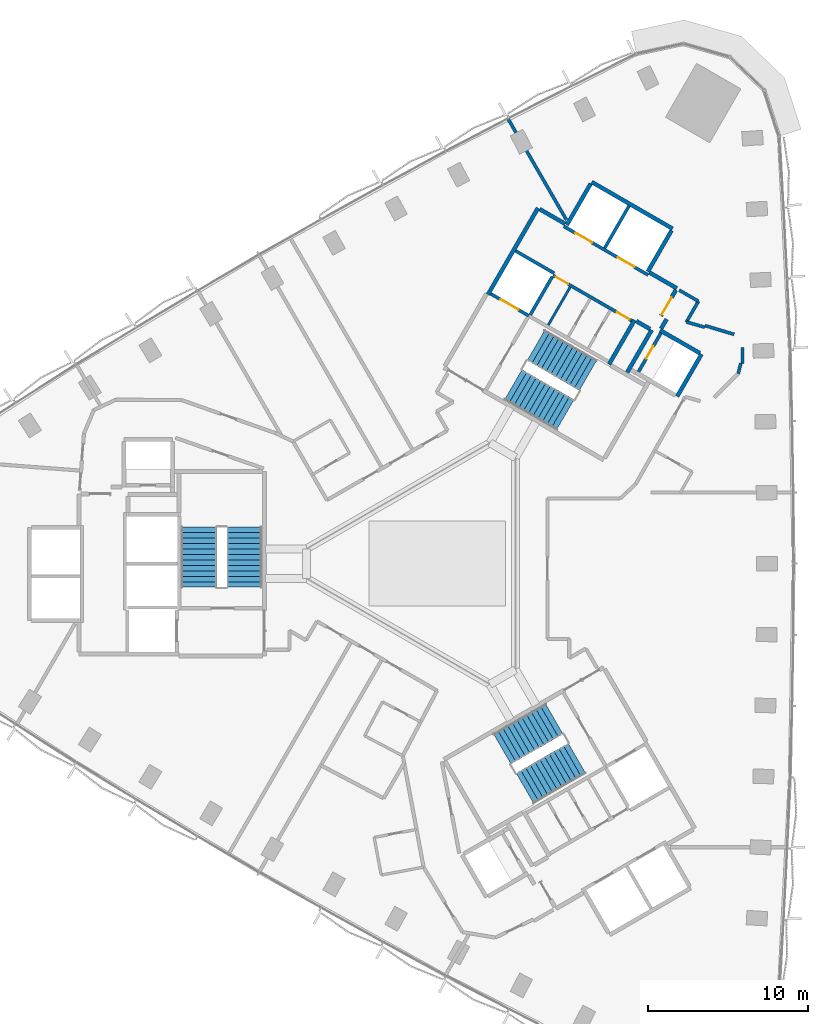
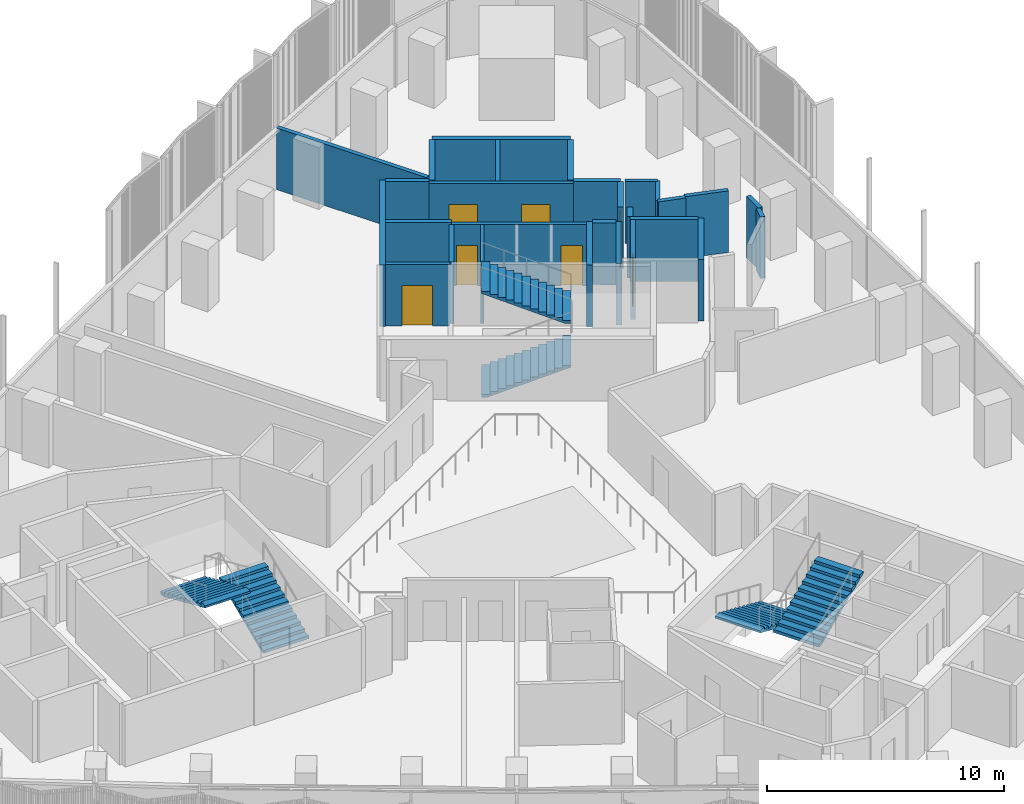
# One storey, part 11 of 15: 28 walls, 7 doors, 6 stair flights, 7 openings, 3 elements without a shape of their own.
"""IFC4 building model written with IfcOpenShell, lengths in metres."""

from ifc_helpers import new_model, si_unit, direction, frame, frame_2d, origin, place, context, subcontext, project, spatial, polyline, rectangle, outline, extrude, material, layer, layer_set, type_object, element, fill, aggregate, save


model = new_model("IFC4")

# Units and contexts
model_context = context("Model", 3, precision=1e-05, world=origin(), true_north=direction((0.0, 1.0)))
body_context = subcontext(model_context, "Body", "Model", "MODEL_VIEW")
ifc_project = project(units=[si_unit("LENGTHUNIT", "METRE"), si_unit("AREAUNIT", "SQUARE_METRE"), si_unit("VOLUMEUNIT", "CUBIC_METRE"), si_unit("PLANEANGLEUNIT", "RADIAN"), si_unit("MASSUNIT", "GRAM", prefix="KILO")], contexts=[model_context])

# Site, building, storey
site_placement = place(None, origin())
site = spatial("IfcSite", under=ifc_project, at=site_placement, CompositionType="ELEMENT")
building_placement = place(site_placement, origin())
building = spatial("IfcBuilding", under=site, at=building_placement, Name="Tamra Quay Hotel Tower", CompositionType="ELEMENT")
storey_placement = place(building_placement, frame((0.0, 0.0, 79.39990234375)))
storey = spatial("IfcBuildingStorey", under=building, at=storey_placement, Name="L18", CompositionType="ELEMENT", Elevation=79.39990234375)

# Wall, openings, doors
ifc_material_1 = material(Name="Concrete M70", Category="concrete")
ifc_layer_1 = layer(ifc_material_1, 0.199951171875)
ifc_layer_set_1 = layer_set([ifc_layer_1], Name="Concrete M70 core wall 200")
wall_type_1 = type_object("IfcWallType", Name="Concrete M70 core wall 200", PredefinedType="SHEAR", material=ifc_layer_set_1)
wall_1_placement = place(storey_placement, frame((13.209716796875, 18.07958984375, 0.0), z_axis=(0.0, 0.0, 1.0), x_axis=(-0.866030299012, 0.499991521122, 0.0)))
wall_1 = element("IfcWall", 1, at=wall_1_placement, inside=storey, type_object=wall_type_1, Name="CW2", PredefinedType="SHEAR", context=body_context, shape_type="SweptSolid", body=[
    extrude(rectangle(XDim=6.10009765625, YDim=0.199951171875, at=frame_2d((3.050048828125, 0.0))), origin(), (0.0, 0.0, 1.0), 3.175048828125),
])
opening_1_placement = place(wall_1_placement, frame((1.0, 0.0, 0.0)))
opening_1 = element("IfcOpeningElement", 2, at=opening_1_placement, cuts=wall_1, Name="Opening LD", PredefinedType="OPENING", context=body_context, shape_type="SweptSolid", body=[
    extrude(rectangle(XDim=1.199951171875, YDim=2.10009765625, at=frame_2d((0.60009765625, 1.050048828125))), frame((0.0, 0.10986328125, 0.0), z_axis=(0.0, -1.0, 0.0), x_axis=(1.0, 0.0, 0.0)), (0.0, 0.0, 1.0), 0.219970703125),
])
opening_2_placement = place(wall_1_placement, frame((4.05029296875, 0.0, 0.0)))
opening_2 = element("IfcOpeningElement", 3, at=opening_2_placement, cuts=wall_1, Name="Opening LD", PredefinedType="OPENING", context=body_context, shape_type="SweptSolid", body=[
    extrude(rectangle(XDim=1.199951171875, YDim=2.10009765625, at=frame_2d((0.60009765625, 1.050048828125))), frame((0.0, 0.10986328125, 0.0), z_axis=(0.0, -1.0, 0.0), x_axis=(1.0, 0.0, 0.0)), (0.0, 0.0, 1.0), 0.219970703125),
])
ifc_material_2 = material(Name="Landing door LD 1200 double door sliding")
door_type_1 = type_object("IfcDoorType", Name="Landing door LD 1200 double door sliding", OperationType="DOUBLE_DOOR_SLIDING", PredefinedType="DOOR", material=ifc_material_2)
door_1_placement = place(opening_1_placement, origin())
door_1 = element("IfcDoor", 4, at=door_1_placement, inside=storey, type_object=door_type_1, Name="LD", OperationType="DOUBLE_DOOR_SLIDING", OverallHeight=2.10009765625, OverallWidth=1.199951171875, PredefinedType="DOOR", context=body_context, shape_type="SweptSolid", body=[
    extrude(rectangle(XDim=1.199951171875, YDim=2.10009765625, at=frame_2d((0.60009765625, 1.050048828125))), frame((0.0, 0.02490234375, 0.0), z_axis=(0.0, -1.0, 0.0), x_axis=(1.0, 0.0, 0.0)), (0.0, 0.0, 1.0), 0.050048828125),
])
fill(opening_1, door_1)
door_2_placement = place(opening_2_placement, origin())
door_2 = element("IfcDoor", 5, at=door_2_placement, inside=storey, type_object=door_type_1, Name="LD", OperationType="DOUBLE_DOOR_SLIDING", OverallHeight=2.10009765625, OverallWidth=1.199951171875, PredefinedType="DOOR", context=body_context, shape_type="SweptSolid", body=[
    extrude(rectangle(XDim=1.199951171875, YDim=2.10009765625, at=frame_2d((0.60009765625, 1.050048828125))), frame((0.0, 0.02490234375, 0.0), z_axis=(0.0, -1.0, 0.0), x_axis=(1.0, 0.0, 0.0)), (0.0, 0.0, 1.0), 0.050048828125),
])
fill(opening_2, door_2)

wall_2_placement = place(storey_placement, frame((12.18505859375, 15.20703125, 0.0), z_axis=(0.0, 0.0, 1.0), x_axis=(-0.866020080793, 0.500009219579, 0.0)))
wall_2 = element("IfcWall", 6, at=wall_2_placement, inside=storey, type_object=wall_type_1, Name="CW2", PredefinedType="SHEAR", context=body_context, shape_type="SweptSolid", body=[
    extrude(rectangle(XDim=5.69921875, YDim=0.199951171875, at=frame_2d((2.849609375, 0.0))), origin(), (0.0, 0.0, 1.0), 3.175048828125),
])
opening_3_placement = place(wall_2_placement, frame((0.174072265625, 0.0, 0.0)))
opening_3 = element("IfcOpeningElement", 7, at=opening_3_placement, cuts=wall_2, Name="Opening D2", PredefinedType="OPENING", context=body_context, shape_type="SweptSolid", body=[
    extrude(rectangle(XDim=0.89990234375, YDim=2.10009765625, at=frame_2d((0.449951171875, 1.050048828125))), frame((0.0, 0.10986328125, 0.0), z_axis=(0.0, -1.0, 0.0), x_axis=(1.0, 0.0, 0.0)), (0.0, 0.0, 1.0), 0.219970703125),
])
opening_4_placement = place(wall_2_placement, frame((4.59912109375, 0.0, 0.0)))
opening_4 = element("IfcOpeningElement", 8, at=opening_4_placement, cuts=wall_2, Name="Opening D2", PredefinedType="OPENING", context=body_context, shape_type="SweptSolid", body=[
    extrude(rectangle(XDim=0.89990234375, YDim=2.10009765625, at=frame_2d((0.449951171875, 1.050048828125))), frame((0.0, 0.10986328125, 0.0), z_axis=(0.0, -1.0, 0.0), x_axis=(1.0, 0.0, 0.0)), (0.0, 0.0, 1.0), 0.219970703125),
])
ifc_material_3 = material(Name="Core door D2 900x2100 LH")
door_type_2 = type_object("IfcDoorType", Name="Core door D2 900x2100 LH", OperationType="NOTDEFINED", PredefinedType="DOOR", material=ifc_material_3)
door_3_placement = place(opening_3_placement, origin())
door_3 = element("IfcDoor", 9, at=door_3_placement, inside=storey, type_object=door_type_2, Name="D2", OperationType="SINGLE_SWING_LEFT", OverallHeight=2.10009765625, OverallWidth=0.89990234375, PredefinedType="DOOR", context=body_context, shape_type="SweptSolid", body=[
    extrude(rectangle(XDim=0.89990234375, YDim=2.10009765625, at=frame_2d((0.449951171875, 1.050048828125))), frame((0.0, 0.02490234375, 0.0), z_axis=(0.0, -1.0, 0.0), x_axis=(1.0, 0.0, 0.0)), (0.0, 0.0, 1.0), 0.050048828125),
])
fill(opening_3, door_3)
ifc_material_4 = material(Name="Core door D2 900x2100 RH")
door_type_3 = type_object("IfcDoorType", Name="Core door D2 900x2100 RH", OperationType="NOTDEFINED", PredefinedType="DOOR", material=ifc_material_4)
door_4_placement = place(opening_4_placement, origin())
door_4 = element("IfcDoor", 10, at=door_4_placement, inside=storey, type_object=door_type_3, Name="D2", OperationType="SINGLE_SWING_RIGHT", OverallHeight=2.10009765625, OverallWidth=0.89990234375, PredefinedType="DOOR", context=body_context, shape_type="SweptSolid", body=[
    extrude(rectangle(XDim=0.89990234375, YDim=2.10009765625, at=frame_2d((0.449951171875, 1.050048828125))), frame((0.0, 0.02490234375, 0.0), z_axis=(0.0, -1.0, 0.0), x_axis=(1.0, 0.0, 0.0)), (0.0, 0.0, 1.0), 0.050048828125),
])
fill(opening_4, door_4)

# Wall
wall_3_placement = place(storey_placement, frame((10.48876953125, 19.76708984375, 0.0), z_axis=(0.0, 0.0, 1.0), x_axis=(0.499946628782, 0.866056215479, 0.0)))
element("IfcWall", 11, at=wall_3_placement, inside=storey, type_object=wall_type_1, Name="CW2", PredefinedType="SHEAR", context=body_context, shape_type="SweptSolid", body=[
    extrude(rectangle(XDim=3.048095703125, YDim=0.199951171875, at=frame_2d((1.52392578125, 0.0))), origin(), (0.0, 0.0, 1.0), 3.175048828125),
])

# Wall, opening, door
wall_4_placement = place(storey_placement, frame((14.0078125, 14.442138671875, 0.0), z_axis=(0.0, 0.0, 1.0), x_axis=(-0.499986818241, -0.866033014143, 0.0)))
wall_4 = element("IfcWall", 12, at=wall_4_placement, inside=storey, type_object=wall_type_1, Name="CW2", PredefinedType="SHEAR", context=body_context, shape_type="SweptSolid", body=[
    extrude(rectangle(XDim=2.7978515625, YDim=0.199951171875, at=frame_2d((1.39892578125, 0.0))), origin(), (0.0, 0.0, 1.0), 3.175048828125),
])
opening_5_placement = place(wall_4_placement, frame((0.948974609375, 0.0, 0.0)))
opening_5 = element("IfcOpeningElement", 13, at=opening_5_placement, cuts=wall_4, Name="Opening D1", PredefinedType="OPENING", context=body_context, shape_type="SweptSolid", body=[
    extrude(rectangle(XDim=0.89990234375, YDim=2.10009765625, at=frame_2d((0.449951171875, 1.050048828125))), frame((0.0, 0.10986328125, 0.0), z_axis=(0.0, -1.0, 0.0), x_axis=(1.0, 0.0, 0.0)), (0.0, 0.0, 1.0), 0.219970703125),
])
ifc_material_5 = material(Name="Core door D1 900x2100 LH")
door_type_4 = type_object("IfcDoorType", Name="Core door D1 900x2100 LH", OperationType="NOTDEFINED", PredefinedType="DOOR", material=ifc_material_5)
door_5_placement = place(opening_5_placement, origin())
door_5 = element("IfcDoor", 14, at=door_5_placement, inside=storey, type_object=door_type_4, Name="D1", OperationType="SINGLE_SWING_LEFT", OverallHeight=2.10009765625, OverallWidth=0.89990234375, PredefinedType="DOOR", context=body_context, shape_type="SweptSolid", body=[
    extrude(rectangle(XDim=0.89990234375, YDim=2.10009765625, at=frame_2d((0.449951171875, 1.050048828125))), frame((0.0, 0.02490234375, 0.0), z_axis=(0.0, -1.0, 0.0), x_axis=(1.0, 0.0, 0.0)), (0.0, 0.0, 1.0), 0.050048828125),
])
fill(opening_5, door_5)

# Wall
wall_5_placement = place(storey_placement, frame((7.199462890625, 17.969970703125, 0.0), z_axis=(0.0, 0.0, 1.0), x_axis=(-0.499968400327, -0.866043647095, 0.0)))
element("IfcWall", 15, at=wall_5_placement, inside=storey, type_object=wall_type_1, Name="CW2", PredefinedType="SHEAR", context=body_context, shape_type="SweptSolid", body=[
    extrude(rectangle(XDim=2.749755859375, YDim=0.199951171875, at=frame_2d((1.375, 0.0))), origin(), (0.0, 0.0, 1.0), 3.175048828125),
])

# Wall, opening, door
wall_6_placement = place(storey_placement, frame((5.72509765625, 15.530517578125, 0.0), z_axis=(0.0, 0.0, 1.0), x_axis=(-0.866037306777, 0.499979382845, 0.0)))
wall_6 = element("IfcWall", 16, at=wall_6_placement, inside=storey, type_object=wall_type_1, Name="CW2", PredefinedType="SHEAR", context=body_context, shape_type="SweptSolid", body=[
    extrude(rectangle(XDim=2.74169921875, YDim=0.199951171875, at=frame_2d((1.370849609375, 0.0))), origin(), (0.0, 0.0, 1.0), 3.175048828125),
])
opening_6_placement = place(wall_6_placement, frame((0.742919921875, 0.0, 0.0)))
opening_6 = element("IfcOpeningElement", 17, at=opening_6_placement, cuts=wall_6, Name="Opening LD", PredefinedType="OPENING", context=body_context, shape_type="SweptSolid", body=[
    extrude(rectangle(XDim=1.300048828125, YDim=2.10009765625, at=frame_2d((0.64990234375, 1.050048828125))), frame((0.0, 0.10986328125, 0.0), z_axis=(0.0, -1.0, 0.0), x_axis=(1.0, 0.0, 0.0)), (0.0, 0.0, 1.0), 0.219970703125),
])
ifc_material_6 = material(Name="Landing door LD 1300 sliding to right")
door_type_5 = type_object("IfcDoorType", Name="Landing door LD 1300 sliding to right", OperationType="NOTDEFINED", PredefinedType="DOOR", material=ifc_material_6)
door_6_placement = place(opening_6_placement, origin())
door_6 = element("IfcDoor", 18, at=door_6_placement, inside=storey, type_object=door_type_5, Name="LD", OperationType="SLIDING_TO_RIGHT", OverallHeight=2.10009765625, OverallWidth=1.300048828125, PredefinedType="DOOR", context=body_context, shape_type="SweptSolid", body=[
    extrude(rectangle(XDim=1.300048828125, YDim=2.10009765625, at=frame_2d((0.64990234375, 1.050048828125))), frame((0.0, 0.02490234375, 0.0), z_axis=(0.0, -1.0, 0.0), x_axis=(1.0, 0.0, 0.0)), (0.0, 0.0, 1.0), 0.050048828125),
])
fill(opening_6, door_6)

# Walls
wall_7_placement = place(storey_placement, frame((4.900634765625, 19.5859375, 0.0), z_axis=(0.0, 0.0, 1.0), x_axis=(0.866022890907, -0.500004352405, 0.0)))
element("IfcWall", 19, at=wall_7_placement, inside=storey, type_object=wall_type_1, Name="CW2", PredefinedType="SHEAR", context=body_context, shape_type="SweptSolid", body=[
    extrude(rectangle(XDim=2.798828125, YDim=0.199951171875, at=frame_2d((1.3994140625, 0.0))), origin(), (0.0, 0.0, 1.0), 3.175048828125),
])
ifc_layer_2 = layer(ifc_material_1, 0.25)
ifc_layer_set_2 = layer_set([ifc_layer_2], Name="Concrete M70 core wall 250")
wall_type_2 = type_object("IfcWallType", Name="Concrete M70 core wall 250", PredefinedType="SHEAR", material=ifc_layer_set_2)
wall_8_placement = place(storey_placement, frame((3.178955078125, 16.856201171875, 0.0), z_axis=(0.0, 0.0, 1.0), x_axis=(0.500004234368, 0.866022959057, 0.0)))
element("IfcWall", 20, at=wall_8_placement, inside=storey, type_object=wall_type_2, Name="CW1", PredefinedType="SHEAR", context=body_context, shape_type="SweptSolid", body=[
    extrude(rectangle(XDim=6.25, YDim=0.25, at=frame_2d((3.125, 0.0))), origin(), (0.0, 0.0, 1.0), 3.175048828125),
])
wall_9_placement = place(storey_placement, frame((9.672607421875, 23.9033203125, 0.0), z_axis=(0.0, 0.0, 1.0), x_axis=(0.86603616409, -0.499981362141, 0.0)))
element("IfcWall", 21, at=wall_9_placement, inside=storey, type_object=wall_type_2, Name="CW1", PredefinedType="SHEAR", context=body_context, shape_type="SweptSolid", body=[
    extrude(rectangle(XDim=5.849853515625, YDim=0.25, at=frame_2d((2.9248046875, 0.0))), origin(), (0.0, 0.0, 1.0), 3.175048828125),
])
wall_10_placement = place(storey_placement, frame((12.356689453125, 15.25244140625, 0.0), z_axis=(0.0, 0.0, 1.0), x_axis=(-0.500028443584, -0.866008981251, 0.0)))
element("IfcWall", 22, at=wall_10_placement, inside=storey, type_object=wall_type_2, Name="CW1", PredefinedType="SHEAR", context=body_context, shape_type="SweptSolid", body=[
    extrude(rectangle(XDim=3.199951171875, YDim=0.25, at=frame_2d((1.60009765625, 0.0))), origin(), (0.0, 0.0, 1.0), 3.175048828125),
])
for number, where, z_axis, x_axis, name in (
    (23, (8.12255859375, 21.21875, 0.0), (0.0, 0.0, 1.0), (0.499987686533, 0.866032512851, 0.0), "CW1"),
    (24, (14.67626953125, 20.869873046875, 0.0), (0.0, 0.0, 1.0), (-0.499987686533, -0.866032512851, 0.0), "CW1"),
):
    element("IfcWall", number, at=place(storey_placement, frame(where, z_axis=z_axis, x_axis=x_axis)), inside=storey, type_object=wall_type_2, Name=name, PredefinedType="SHEAR", context=body_context, shape_type="SweptSolid", body=[
        extrude(rectangle(XDim=2.974609375, YDim=0.25, at=frame_2d((1.4873046875, 0.0))), origin(), (0.0, 0.0, 1.0), 3.175048828125),
    ])
wall_11_placement = place(storey_placement, frame((16.552001953125, 13.118896484375, 0.0), z_axis=(0.0, 0.0, 1.0), x_axis=(-0.499978833458, -0.866037623948, 0.0)))
element("IfcWall", 25, at=wall_11_placement, inside=storey, type_object=wall_type_2, Name="CW1", PredefinedType="SHEAR", context=body_context, shape_type="SweptSolid", body=[
    extrude(rectangle(XDim=3.050048828125, YDim=0.25, at=frame_2d((1.52490234375, 0.0))), origin(), (0.0, 0.0, 1.0), 3.175048828125),
])
wall_12_placement = place(storey_placement, frame((13.962646484375, 14.61376953125, 0.0), z_axis=(0.0, 0.0, 1.0), x_axis=(0.866042235819, -0.499970844928, 0.0)))
element("IfcWall", 26, at=wall_12_placement, inside=storey, type_object=wall_type_2, Name="CW1", PredefinedType="SHEAR", context=body_context, shape_type="SweptSolid", body=[
    extrude(rectangle(XDim=2.864501953125, YDim=0.25, at=frame_2d((1.43212890625, 0.0))), origin(), (0.0, 0.0, 1.0), 3.175048828125),
])
wall_13_placement = place(storey_placement, frame((11.887939453125, 11.960693359375, 0.0), z_axis=(0.0, 0.0, 1.0), x_axis=(0.500003324108, 0.866023484601, 0.0)))
element("IfcWall", 27, at=wall_13_placement, inside=storey, type_object=wall_type_2, Name="CW1", PredefinedType="SHEAR", context=body_context, shape_type="SweptSolid", body=[
    extrude(rectangle(XDim=3.0849609375, YDim=0.25, at=frame_2d((1.54248046875, 0.0))), origin(), (0.0, 0.0, 1.0), 3.175048828125),
])
wall_14_placement = place(storey_placement, frame((13.29736328125, 18.23095703125, 0.0), z_axis=(0.0, 0.0, 1.0), x_axis=(0.866043531843, -0.499968599967, 0.0)))
element("IfcWall", 28, at=wall_14_placement, inside=storey, type_object=wall_type_2, Name="CW1", PredefinedType="SHEAR", context=body_context, shape_type="SweptSolid", body=[
    extrude(rectangle(XDim=1.974853515625, YDim=0.25, at=frame_2d((0.9873046875, 0.0))), origin(), (0.0, 0.0, 1.0), 3.175048828125),
])
wall_15_placement = place(storey_placement, frame((6.41259765625, 22.2060546875, 0.0), z_axis=(0.0, 0.0, 1.0), x_axis=(0.866016279763, -0.500015802937, 0.0)))
element("IfcWall", 29, at=wall_15_placement, inside=storey, type_object=wall_type_2, Name="CW1", PredefinedType="SHEAR", context=body_context, shape_type="SweptSolid", body=[
    extrude(rectangle(XDim=1.84912109375, YDim=0.25, at=frame_2d((0.924560546875, 0.0))), origin(), (0.0, 0.0, 1.0), 3.175048828125),
])

# Wall, opening, door
wall_16_placement = place(storey_placement, frame((14.94482421875, 17.13525390625, 0.0), z_axis=(0.0, 0.0, 1.0), x_axis=(-0.499983108224, -0.866035156036, 0.0)))
wall_16 = element("IfcWall", 30, at=wall_16_placement, inside=storey, type_object=wall_type_2, Name="CW1", PredefinedType="SHEAR", context=body_context, shape_type="SweptSolid", body=[
    extrude(rectangle(XDim=1.86474609375, YDim=0.25, at=frame_2d((0.932373046875, 0.0))), origin(), (0.0, 0.0, 1.0), 3.175048828125),
])
opening_7_placement = place(wall_16_placement, frame((0.53466796875, 0.0, 0.0)))
opening_7 = element("IfcOpeningElement", 31, at=opening_7_placement, cuts=wall_16, Name="Opening FD3", PredefinedType="OPENING", context=body_context, shape_type="SweptSolid", body=[
    extrude(rectangle(XDim=1.25, YDim=2.10009765625, at=frame_2d((0.625, 1.050048828125))), frame((0.0, 0.135009765625, 0.0), z_axis=(0.0, -1.0, 0.0), x_axis=(1.0, 0.0, 0.0)), (0.0, 0.0, 1.0), 0.27001953125),
])
ifc_material_7 = material(Name="Core door FD3 1250x2100 LH")
door_type_6 = type_object("IfcDoorType", Name="Core door FD3 1250x2100 LH", OperationType="NOTDEFINED", PredefinedType="DOOR", material=ifc_material_7)
door_7_placement = place(opening_7_placement, origin())
door_7 = element("IfcDoor", 32, at=door_7_placement, inside=storey, type_object=door_type_6, Name="FD3", OperationType="SINGLE_SWING_LEFT", OverallHeight=2.10009765625, OverallWidth=1.25, PredefinedType="DOOR", context=body_context, shape_type="SweptSolid", body=[
    extrude(rectangle(XDim=1.25, YDim=2.10009765625, at=frame_2d((0.625, 1.050048828125))), frame((0.0, 0.02490234375, 0.0), z_axis=(0.0, -1.0, 0.0), x_axis=(1.0, 0.0, 0.0)), (0.0, 0.0, 1.0), 0.050048828125),
])
fill(opening_7, door_7)

# Walls
wall_17_placement = place(storey_placement, frame((13.322021484375, 14.695068359375, 0.0), z_axis=(0.0, 0.0, 1.0), x_axis=(-0.866017078145, 0.500014420154, 0.0)))
element("IfcWall", 33, at=wall_17_placement, inside=storey, type_object=wall_type_2, Name="CW1", PredefinedType="SHEAR", context=body_context, shape_type="SweptSolid", body=[
    extrude(rectangle(XDim=0.9892578125, YDim=0.25, at=frame_2d((0.49462890625, 0.0))), origin(), (0.0, 0.0, 1.0), 3.175048828125),
])
wall_18_placement = place(storey_placement, frame((14.36767578125, 15.3154296875, 0.0), z_axis=(0.0, 0.0, 1.0), x_axis=(-0.499897359611, -0.866084655132, 0.0)))
element("IfcWall", 34, at=wall_18_placement, inside=storey, type_object=wall_type_2, Name="CW1", PredefinedType="SHEAR", context=body_context, shape_type="SweptSolid", body=[
    extrude(rectangle(XDim=0.684814453125, YDim=0.25, at=frame_2d((0.34228515625, 0.0))), origin(), (0.0, 0.0, 1.0), 3.175048828125),
])
ifc_material_8 = material(Name="Blockwork", Category="masonry")
ifc_layer_3 = layer(ifc_material_8, 0.14990234375)
ifc_layer_set_3 = layer_set([ifc_layer_3], Name="Core partition block 150")
wall_type_3 = type_object("IfcWallType", Name="Core partition block 150", PredefinedType="PARTITIONING", material=ifc_layer_set_3)
wall_19_placement = place(storey_placement, frame((6.95068359375, 14.939208984375, 0.0), z_axis=(0.0, 0.0, 1.0), x_axis=(0.50002746344, 0.86600954718, 0.0)))
element("IfcWall", 35, at=wall_19_placement, inside=storey, type_object=wall_type_3, Name="CP1", PredefinedType="PARTITIONING", context=body_context, shape_type="SweptSolid", body=[
    extrude(rectangle(XDim=2.748291015625, YDim=0.14990234375, at=frame_2d((1.3740234375, 0.0))), origin(), (0.0, 0.0, 1.0), 3.175048828125),
])
ifc_material_9 = material(Name="Partition corridor wall")
ifc_layer_4 = layer(ifc_material_9, 0.199951171875)
ifc_layer_set_4 = layer_set([ifc_layer_4], Name="Partition corridor wall")
wall_type_4 = type_object("IfcWallType", Name="Partition corridor wall", PredefinedType="PARTITIONING", material=ifc_layer_set_4)
wall_20_placement = place(storey_placement, frame((15.155517578125, 17.130126953125, 0.0), z_axis=(0.0, 0.0, 1.0), x_axis=(0.865755062894, -0.500467952093, 0.0)))
element("IfcWall", 36, at=wall_20_placement, inside=storey, type_object=wall_type_4, Name="W-C", PredefinedType="PARTITIONING", context=body_context, shape_type="SweptSolid", body=[
    extrude(rectangle(XDim=1.388916015625, YDim=0.199951171875, at=frame_2d((0.6943359375, 0.0))), origin(), (0.0, 0.0, 1.0), 3.175048828125),
])
wall_21_placement = place(storey_placement, frame((15.60888671875, 15.135986328125, 0.0), z_axis=(0.0, 0.0, 1.0), x_axis=(0.499501622561, 0.866312950993, 0.0)))
element("IfcWall", 37, at=wall_21_placement, inside=storey, type_object=wall_type_4, Name="W-C", PredefinedType="PARTITIONING", context=body_context, shape_type="SweptSolid", body=[
    extrude(rectangle(XDim=1.49951171875, YDim=0.199951171875, at=frame_2d((0.749755859375, 0.0))), origin(), (0.0, 0.0, 1.0), 3.175048828125),
])
wall_22_placement = place(storey_placement, frame((15.60888671875, 15.135986328125, 0.0), z_axis=(0.0, 0.0, 1.0), x_axis=(0.961662011825, -0.274237442763, 0.0)))
element("IfcWall", 38, at=wall_22_placement, inside=storey, type_object=wall_type_4, Name="W-C", PredefinedType="PARTITIONING", context=body_context, shape_type="SweptSolid", body=[
    extrude(rectangle(XDim=1.199951171875, YDim=0.199951171875, at=frame_2d((0.60009765625, 0.0))), origin(), (0.0, 0.0, 1.0), 3.175048828125),
])
wall_23_placement = place(storey_placement, frame((16.79052734375, 14.903076171875, 0.0), z_axis=(0.0, 0.0, 1.0), x_axis=(0.957543978079, -0.288287235312, 0.0)))
element("IfcWall", 39, at=wall_23_placement, inside=storey, type_object=wall_type_4, Name="W-C", PredefinedType="PARTITIONING", context=body_context, shape_type="SweptSolid", body=[
    extrude(rectangle(XDim=1.883544921875, YDim=0.199951171875, at=frame_2d((0.94189453125, 0.0))), origin(), (0.0, 0.0, 1.0), 3.175048828125),
])
wall_24_placement = place(storey_placement, frame((19.114990234375, 12.5439453125, 0.0), z_axis=(0.0, 0.0, 1.0), x_axis=(0.0, 1.0, 0.0)))
element("IfcWall", 40, at=wall_24_placement, inside=storey, type_object=wall_type_4, Name="W-C", PredefinedType="PARTITIONING", context=body_context, shape_type="SweptSolid", body=[
    extrude(rectangle(XDim=1.0, YDim=0.199951171875, at=frame_2d((0.5, 0.0))), origin(), (0.0, 0.0, 1.0), 3.175048828125),
])
wall_25_placement = place(storey_placement, frame((18.85205078125, 11.906982421875, 0.0), z_axis=(0.0, 0.0, 1.0), x_axis=(0.247687348035, 0.968840016527, 0.0)))
element("IfcWall", 41, at=wall_25_placement, inside=storey, type_object=wall_type_4, Name="W-C", PredefinedType="PARTITIONING", context=body_context, shape_type="SweptSolid", body=[
    extrude(rectangle(XDim=0.657470703125, YDim=0.199951171875, at=frame_2d((0.32861328125, 0.0))), origin(), (0.0, 0.0, 1.0), 3.175048828125),
])
ifc_material_10 = material(Name="Partition party wall")
ifc_layer_5 = layer(ifc_material_10, 0.199951171875)
ifc_layer_set_5 = layer_set([ifc_layer_5], Name="Partition party wall")
wall_type_5 = type_object("IfcWallType", Name="Partition party wall", PredefinedType="PARTITIONING", material=ifc_layer_set_5)
wall_26_placement = place(storey_placement, frame((4.43017578125, 27.87255859375, 0.0), z_axis=(0.0, 0.0, 1.0), x_axis=(0.499959183527, -0.866048967903, 0.0)))
element("IfcWall", 42, at=wall_26_placement, inside=storey, type_object=wall_type_5, Name="W-P", PredefinedType="PARTITIONING", context=body_context, shape_type="SweptSolid", body=[
    extrude(rectangle(XDim=7.3203125, YDim=0.199951171875, at=frame_2d((3.66015625, 0.0))), origin(), (0.0, 0.0, 1.0), 3.175048828125),
])

# Stair, stair flights
ifc_material_11 = material(Name="Exit stair 2200 24 risers 150.0 going 342")
stair_type = type_object("IfcStairType", Name="Exit stair 2200 24 risers 150.0 going 342", PredefinedType="HALF_TURN_STAIR", material=ifc_material_11)
stair_1_placement = place(storey_placement, origin())
stair_1 = element("IfcStair", 43, at=stair_1_placement, inside=storey, type_object=stair_type, Name="L18 Exit stair ST3", PredefinedType="HALF_TURN_STAIR")
ifc_material_12 = material(Name="Exit stair flight 2200 12 risers 150.0")
stair_flight_type = type_object("IfcStairFlightType", Name="Exit stair flight 2200 12 risers 150.0", PredefinedType="STRAIGHT", material=ifc_material_12)
stair_flight_1_placement = place(storey_placement, frame((-12.082275390625, -1.47998046875, 0.0), z_axis=(0.0, 0.0, 1.0), x_axis=(0.0, 1.0, 0.0)))
stair_flight_1 = element("IfcStairFlight", 44, at=stair_flight_1_placement, type_object=stair_flight_type, Name="ST3 flight 1", NumberOfRisers=12, NumberOfTreads=11, PredefinedType="STRAIGHT", RiserHeight=0.15, TreadLength=0.342, context=body_context, shape_type="SweptSolid", body=[
    extrude(outline(polyline([(0.0, 0.0), (0.0, 0.14990234375), (0.342041015625, 0.14990234375), (0.342041015625, 0.300048828125), (0.68408203125, 0.300048828125), (0.68408203125, 0.449951171875), (1.02587890625, 0.449951171875), (1.02587890625, 0.60009765625), (1.367919921875, 0.60009765625), (1.367919921875, 0.75), (1.7099609375, 0.75), (1.7099609375, 0.89990234375), (2.052001953125, 0.89990234375), (2.052001953125, 1.050048828125), (2.39404296875, 1.050048828125), (2.39404296875, 1.199951171875), (2.736083984375, 1.199951171875), (2.736083984375, 1.35009765625), (3.077880859375, 1.35009765625), (3.077880859375, 1.5), (3.419921875, 1.5), (3.419921875, 1.64990234375), (3.761962890625, 1.64990234375), (3.761962890625, 1.800048828125), (3.761962890625, 1.540771484375), (0.249267578125, 0.0), (0.0, 0.0)])), frame((0.0, 1.10009765625, 0.0), z_axis=(0.0, -1.0, 0.0), x_axis=(1.0, 0.0, 0.0)), (0.0, 0.0, 1.0), 2.199951171875),
])
stair_flight_2_placement = place(storey_placement, frame((-14.94140625, 2.281982421875, 1.800048828125), z_axis=(0.0, 0.0, 1.0), x_axis=(0.0, -1.0, 0.0)))
stair_flight_2 = element("IfcStairFlight", 45, at=stair_flight_2_placement, type_object=stair_flight_type, Name="ST3 flight 2", NumberOfRisers=12, NumberOfTreads=11, PredefinedType="STRAIGHT", RiserHeight=0.15, TreadLength=0.342, context=body_context, shape_type="SweptSolid", body=[
    extrude(outline(polyline([(0.0, 0.0), (0.0, 0.14990234375), (0.342041015625, 0.14990234375), (0.342041015625, 0.300048828125), (0.68408203125, 0.300048828125), (0.68408203125, 0.449951171875), (1.02587890625, 0.449951171875), (1.02587890625, 0.60009765625), (1.367919921875, 0.60009765625), (1.367919921875, 0.75), (1.7099609375, 0.75), (1.7099609375, 0.89990234375), (2.052001953125, 0.89990234375), (2.052001953125, 1.050048828125), (2.39404296875, 1.050048828125), (2.39404296875, 1.199951171875), (2.736083984375, 1.199951171875), (2.736083984375, 1.35009765625), (3.077880859375, 1.35009765625), (3.077880859375, 1.5), (3.419921875, 1.5), (3.419921875, 1.64990234375), (3.761962890625, 1.64990234375), (3.761962890625, 1.800048828125), (3.761962890625, 1.540771484375), (0.249267578125, 0.0), (0.0, 0.0)])), frame((0.0, 1.10009765625, 0.0), z_axis=(0.0, -1.0, 0.0), x_axis=(1.0, 0.0, 0.0)), (0.0, 0.0, 1.0), 2.199951171875),
])
aggregate(stair_1, [stair_flight_1, stair_flight_2])

stair_2_placement = place(storey_placement, origin())
stair_2 = element("IfcStair", 46, at=stair_2_placement, inside=storey, type_object=stair_type, Name="L18 Exit stair ST1", PredefinedType="HALF_TURN_STAIR")
stair_flight_3_placement = place(storey_placement, frame((4.75927734375, 11.20361328125, 0.0), z_axis=(0.0, 0.0, 1.0), x_axis=(0.866025403784, -0.5, 0.0)))
stair_flight_3 = element("IfcStairFlight", 47, at=stair_flight_3_placement, type_object=stair_flight_type, Name="ST1 flight 1", NumberOfRisers=12, NumberOfTreads=11, PredefinedType="STRAIGHT", RiserHeight=0.15, TreadLength=0.342, context=body_context, shape_type="SweptSolid", body=[
    extrude(outline(polyline([(0.0, 0.0), (0.0, 0.14990234375), (0.342041015625, 0.14990234375), (0.342041015625, 0.300048828125), (0.68408203125, 0.300048828125), (0.68408203125, 0.449951171875), (1.02587890625, 0.449951171875), (1.02587890625, 0.60009765625), (1.367919921875, 0.60009765625), (1.367919921875, 0.75), (1.7099609375, 0.75), (1.7099609375, 0.89990234375), (2.052001953125, 0.89990234375), (2.052001953125, 1.050048828125), (2.39404296875, 1.050048828125), (2.39404296875, 1.199951171875), (2.736083984375, 1.199951171875), (2.736083984375, 1.35009765625), (3.077880859375, 1.35009765625), (3.077880859375, 1.5), (3.419921875, 1.5), (3.419921875, 1.64990234375), (3.761962890625, 1.64990234375), (3.761962890625, 1.800048828125), (3.761962890625, 1.540771484375), (0.249267578125, 0.0), (0.0, 0.0)])), frame((0.0, 1.10009765625, 0.0), z_axis=(0.0, -1.0, 0.0), x_axis=(1.0, 0.0, 0.0)), (0.0, 0.0, 1.0), 2.199951171875),
])
stair_flight_4_placement = place(storey_placement, frame((9.44677734375, 11.798583984375, 1.800048828125), z_axis=(0.0, 0.0, 1.0), x_axis=(-0.866025403784, 0.5, 0.0)))
stair_flight_4 = element("IfcStairFlight", 48, at=stair_flight_4_placement, type_object=stair_flight_type, Name="ST1 flight 2", NumberOfRisers=12, NumberOfTreads=11, PredefinedType="STRAIGHT", RiserHeight=0.15, TreadLength=0.342, context=body_context, shape_type="SweptSolid", body=[
    extrude(outline(polyline([(0.0, 0.0), (0.0, 0.14990234375), (0.342041015625, 0.14990234375), (0.342041015625, 0.300048828125), (0.68408203125, 0.300048828125), (0.68408203125, 0.449951171875), (1.02587890625, 0.449951171875), (1.02587890625, 0.60009765625), (1.367919921875, 0.60009765625), (1.367919921875, 0.75), (1.7099609375, 0.75), (1.7099609375, 0.89990234375), (2.052001953125, 0.89990234375), (2.052001953125, 1.050048828125), (2.39404296875, 1.050048828125), (2.39404296875, 1.199951171875), (2.736083984375, 1.199951171875), (2.736083984375, 1.35009765625), (3.077880859375, 1.35009765625), (3.077880859375, 1.5), (3.419921875, 1.5), (3.419921875, 1.64990234375), (3.761962890625, 1.64990234375), (3.761962890625, 1.800048828125), (3.761962890625, 1.540771484375), (0.249267578125, 0.0), (0.0, 0.0)])), frame((0.0, 1.10009765625, 0.0), z_axis=(0.0, -1.0, 0.0), x_axis=(1.0, 0.0, 0.0)), (0.0, 0.0, 1.0), 2.199951171875),
])
aggregate(stair_2, [stair_flight_3, stair_flight_4])

stair_3_placement = place(storey_placement, origin())
stair_3 = element("IfcStair", 49, at=stair_3_placement, inside=storey, type_object=stair_type, Name="L18 Exit stair ST2", PredefinedType="HALF_TURN_STAIR")
stair_flight_5_placement = place(storey_placement, frame((7.322998046875, -9.7236328125, 0.0), z_axis=(0.0, 0.0, 1.0), x_axis=(-0.866025403784, -0.5, 0.0)))
stair_flight_5 = element("IfcStairFlight", 50, at=stair_flight_5_placement, type_object=stair_flight_type, Name="ST2 flight 1", NumberOfRisers=12, NumberOfTreads=11, PredefinedType="STRAIGHT", RiserHeight=0.15, TreadLength=0.342, context=body_context, shape_type="SweptSolid", body=[
    extrude(outline(polyline([(0.0, 0.0), (0.0, 0.14990234375), (0.342041015625, 0.14990234375), (0.342041015625, 0.300048828125), (0.68408203125, 0.300048828125), (0.68408203125, 0.449951171875), (1.02587890625, 0.449951171875), (1.02587890625, 0.60009765625), (1.367919921875, 0.60009765625), (1.367919921875, 0.75), (1.7099609375, 0.75), (1.7099609375, 0.89990234375), (2.052001953125, 0.89990234375), (2.052001953125, 1.050048828125), (2.39404296875, 1.050048828125), (2.39404296875, 1.199951171875), (2.736083984375, 1.199951171875), (2.736083984375, 1.35009765625), (3.077880859375, 1.35009765625), (3.077880859375, 1.5), (3.419921875, 1.5), (3.419921875, 1.64990234375), (3.761962890625, 1.64990234375), (3.761962890625, 1.800048828125), (3.761962890625, 1.540771484375), (0.249267578125, 0.0), (0.0, 0.0)])), frame((0.0, 1.10009765625, 0.0), z_axis=(0.0, -1.0, 0.0), x_axis=(1.0, 0.0, 0.0)), (0.0, 0.0, 1.0), 2.199951171875),
])
stair_flight_6_placement = place(storey_placement, frame((5.494384765625, -14.08056640625, 1.800048828125), z_axis=(0.0, 0.0, 1.0), x_axis=(0.866025403784, 0.5, 0.0)))
stair_flight_6 = element("IfcStairFlight", 51, at=stair_flight_6_placement, type_object=stair_flight_type, Name="ST2 flight 2", NumberOfRisers=12, NumberOfTreads=11, PredefinedType="STRAIGHT", RiserHeight=0.15, TreadLength=0.342, context=body_context, shape_type="SweptSolid", body=[
    extrude(outline(polyline([(0.0, 0.0), (0.0, 0.14990234375), (0.342041015625, 0.14990234375), (0.342041015625, 0.300048828125), (0.68408203125, 0.300048828125), (0.68408203125, 0.449951171875), (1.02587890625, 0.449951171875), (1.02587890625, 0.60009765625), (1.367919921875, 0.60009765625), (1.367919921875, 0.75), (1.7099609375, 0.75), (1.7099609375, 0.89990234375), (2.052001953125, 0.89990234375), (2.052001953125, 1.050048828125), (2.39404296875, 1.050048828125), (2.39404296875, 1.199951171875), (2.736083984375, 1.199951171875), (2.736083984375, 1.35009765625), (3.077880859375, 1.35009765625), (3.077880859375, 1.5), (3.419921875, 1.5), (3.419921875, 1.64990234375), (3.761962890625, 1.64990234375), (3.761962890625, 1.800048828125), (3.761962890625, 1.540771484375), (0.249267578125, 0.0), (0.0, 0.0)])), frame((0.0, 1.10009765625, 0.0), z_axis=(0.0, -1.0, 0.0), x_axis=(1.0, 0.0, 0.0)), (0.0, 0.0, 1.0), 2.199951171875),
])
aggregate(stair_3, [stair_flight_5, stair_flight_6])

save(model, "model.ifc")
